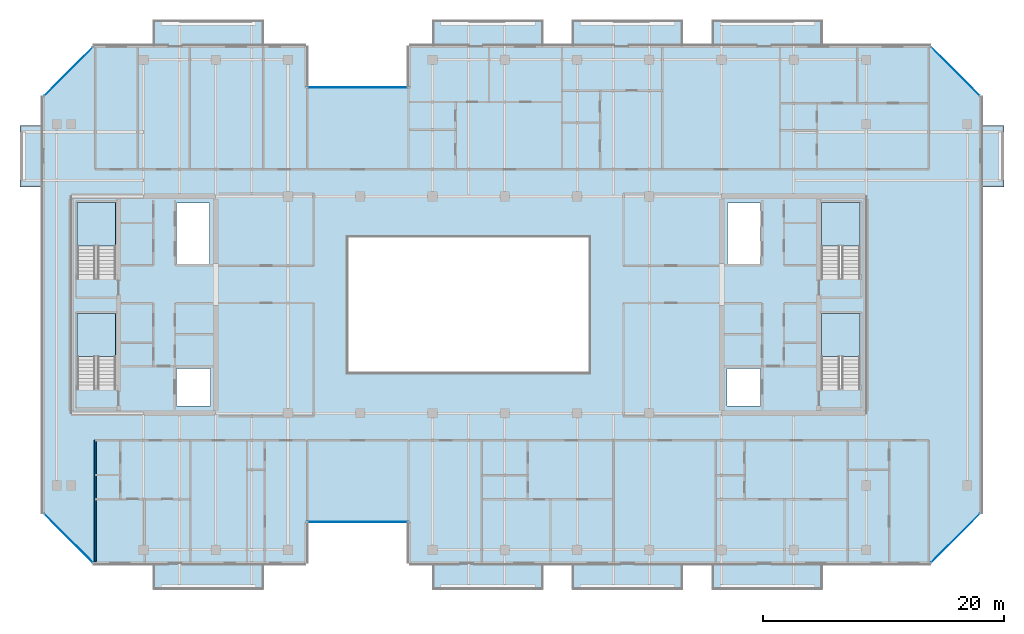
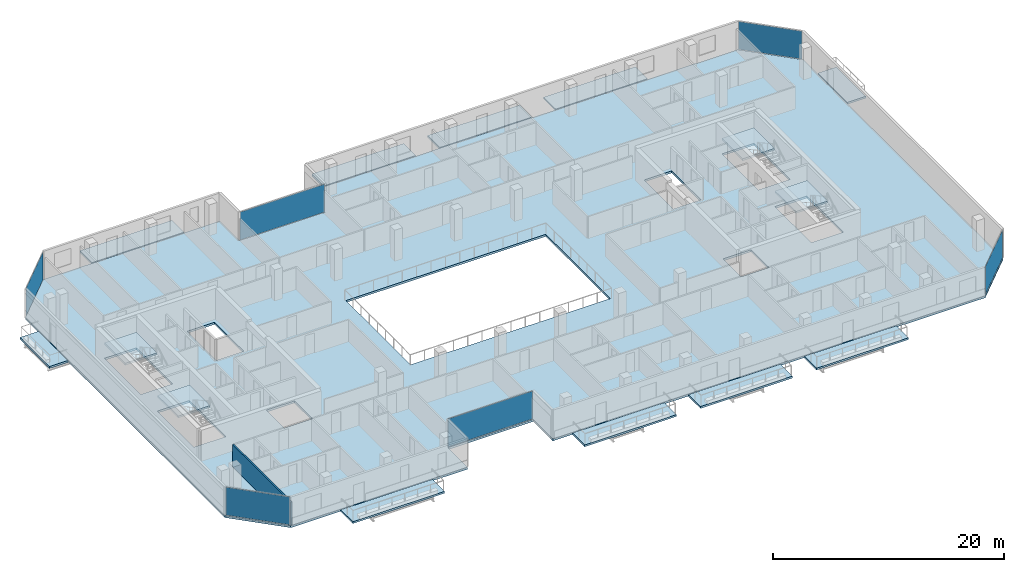
# One storey, part 17 of 29: 15 slabs, 6 plates, 1 wall, 10 elements without a shape of their own.
"""IFC4 building model written with IfcOpenShell, lengths in metres."""

from ifc_helpers import new_model, si_unit, direction, frame, frame_2d, origin, origin_2d, place, context, subcontext, project, spatial, polyline, rectangle, outline, extrude, material, layer, layer_set, type_object, element, aggregate, save


model = new_model("IFC4")

# Units and contexts
model_context = context("Model", 3, precision=1e-05, world=origin(), true_north=direction((0.0, 1.0)))
body_context = subcontext(model_context, "Body", "Model", "MODEL_VIEW")
ifc_project = project(units=[si_unit("LENGTHUNIT", "METRE"), si_unit("AREAUNIT", "SQUARE_METRE"), si_unit("VOLUMEUNIT", "CUBIC_METRE"), si_unit("PLANEANGLEUNIT", "RADIAN"), si_unit("MASSUNIT", "GRAM", prefix="KILO")], contexts=[model_context])

# Site, building, storey
site_placement = place(None, origin())
site = spatial("IfcSite", under=ifc_project, at=site_placement, CompositionType="ELEMENT")
building_placement = place(site_placement, origin())
building = spatial("IfcBuilding", under=site, at=building_placement, Name="Tanjung Sevakor Pilgrim Tower", CompositionType="ELEMENT")
storey_placement = place(building_placement, frame((0.0, 0.0, 188.429931640625)))
storey = spatial("IfcBuildingStorey", under=building, at=storey_placement, Name="L52", CompositionType="ELEMENT", Elevation=188.429931640625)

# Slabs
ifc_material_1 = material(Name="Concrete C40/50", Category="concrete")
ifc_layer_1 = layer(ifc_material_1, 0.199951171875)
ifc_layer_set_1 = layer_set([ifc_layer_1], Name="SL-BAL-200")
slab_type_1 = type_object("IfcSlabType", Name="SL-BAL-200", PredefinedType="FLOOR", material=ifc_layer_set_1)
slab_1_placement = place(storey_placement, frame((0.0, 0.0, -0.199951171875)))
element("IfcSlab", 1, at=slab_1_placement, inside=storey, type_object=slab_type_1, Name="L52 Planted Loggia Balcony MAIN-S1", PredefinedType="FLOOR", context=body_context, shape_type="SweptSolid", body=[
    extrude(outline(polyline([(30.800048828125, 9.949951171875), (40.0, 9.949951171875), (40.0, 12.050048828125), (30.800048828125, 12.050048828125), (30.800048828125, 9.949951171875)])), origin(), (0.0, 0.0, 1.0), 0.199951171875),
])
slab_2_placement = place(storey_placement, frame((0.0, 0.0, -0.199951171875)))
element("IfcSlab", 2, at=slab_2_placement, inside=storey, type_object=slab_type_1, Name="L52 Planted Loggia Balcony MAIN-N1", PredefinedType="FLOOR", context=body_context, shape_type="SweptSolid", body=[
    extrude(outline(polyline([(30.800048828125, 55.14990234375), (40.0, 55.14990234375), (40.0, 57.25), (30.800048828125, 57.25), (30.800048828125, 55.14990234375)])), origin(), (0.0, 0.0, 1.0), 0.199951171875),
])
slab_3_placement = place(storey_placement, frame((0.0, 0.0, -0.199951171875)))
element("IfcSlab", 3, at=slab_3_placement, inside=storey, type_object=slab_type_1, Name="L52 Planted Loggia Balcony MAIN-S2", PredefinedType="FLOOR", context=body_context, shape_type="SweptSolid", body=[
    extrude(outline(polyline([(54.0, 9.949951171875), (63.199951171875, 9.949951171875), (63.199951171875, 12.050048828125), (54.0, 12.050048828125), (54.0, 9.949951171875)])), origin(), (0.0, 0.0, 1.0), 0.199951171875),
])
slab_4_placement = place(storey_placement, frame((0.0, 0.0, -0.199951171875)))
element("IfcSlab", 4, at=slab_4_placement, inside=storey, type_object=slab_type_1, Name="L52 Planted Loggia Balcony MAIN-N2", PredefinedType="FLOOR", context=body_context, shape_type="SweptSolid", body=[
    extrude(outline(polyline([(54.0, 55.14990234375), (63.199951171875, 55.14990234375), (63.199951171875, 57.25), (54.0, 57.25), (54.0, 55.14990234375)])), origin(), (0.0, 0.0, 1.0), 0.199951171875),
])
slab_5_placement = place(storey_placement, frame((0.0, 0.0, -0.199951171875)))
element("IfcSlab", 5, at=slab_5_placement, inside=storey, type_object=slab_type_1, Name="L52 Planted Loggia Balcony MAIN-S3", PredefinedType="FLOOR", context=body_context, shape_type="SweptSolid", body=[
    extrude(outline(polyline([(65.60009765625, 9.949951171875), (74.800048828125, 9.949951171875), (74.800048828125, 12.050048828125), (65.60009765625, 12.050048828125), (65.60009765625, 9.949951171875)])), origin(), (0.0, 0.0, 1.0), 0.199951171875),
])
slab_6_placement = place(storey_placement, frame((0.0, 0.0, -0.199951171875)))
element("IfcSlab", 6, at=slab_6_placement, inside=storey, type_object=slab_type_1, Name="L52 Planted Loggia Balcony MAIN-N3", PredefinedType="FLOOR", context=body_context, shape_type="SweptSolid", body=[
    extrude(outline(polyline([(65.60009765625, 55.14990234375), (74.800048828125, 55.14990234375), (74.800048828125, 57.25), (65.60009765625, 57.25), (65.60009765625, 55.14990234375)])), origin(), (0.0, 0.0, 1.0), 0.199951171875),
])
slab_7_placement = place(storey_placement, frame((0.0, 0.0, -0.199951171875)))
element("IfcSlab", 7, at=slab_7_placement, inside=storey, type_object=slab_type_1, Name="L52 Planted Loggia Balcony MAIN-S4", PredefinedType="FLOOR", context=body_context, shape_type="SweptSolid", body=[
    extrude(outline(polyline([(77.199951171875, 9.949951171875), (86.39990234375, 9.949951171875), (86.39990234375, 12.050048828125), (77.199951171875, 12.050048828125), (77.199951171875, 9.949951171875)])), origin(), (0.0, 0.0, 1.0), 0.199951171875),
])
slab_8_placement = place(storey_placement, frame((0.0, 0.0, -0.199951171875)))
element("IfcSlab", 8, at=slab_8_placement, inside=storey, type_object=slab_type_1, Name="L52 Planted Loggia Balcony MAIN-N4", PredefinedType="FLOOR", context=body_context, shape_type="SweptSolid", body=[
    extrude(outline(polyline([(77.199951171875, 55.14990234375), (86.39990234375, 55.14990234375), (86.39990234375, 57.25), (77.199951171875, 57.25), (77.199951171875, 55.14990234375)])), origin(), (0.0, 0.0, 1.0), 0.199951171875),
])
slab_9_placement = place(storey_placement, frame((0.0, 0.0, -0.199951171875)))
element("IfcSlab", 9, at=slab_9_placement, inside=storey, type_object=slab_type_1, Name="L52 Planted Loggia Balcony MAIN-W1", PredefinedType="FLOOR", context=body_context, shape_type="SweptSolid", body=[
    extrude(outline(polyline([(19.75, 43.39990234375), (21.60009765625, 43.39990234375), (21.60009765625, 48.5), (19.75, 48.5), (19.75, 43.39990234375)])), origin(), (0.0, 0.0, 1.0), 0.199951171875),
])
slab_10_placement = place(storey_placement, frame((0.0, 0.0, -0.199951171875)))
element("IfcSlab", 10, at=slab_10_placement, inside=storey, type_object=slab_type_1, Name="L52 Planted Loggia Balcony MAIN-E1", PredefinedType="FLOOR", context=body_context, shape_type="SweptSolid", body=[
    extrude(outline(polyline([(99.60009765625, 43.39990234375), (101.449951171875, 43.39990234375), (101.449951171875, 48.5), (99.60009765625, 48.5), (99.60009765625, 43.39990234375)])), origin(), (0.0, 0.0, 1.0), 0.199951171875),
])

# Stair, slab
ifc_material_2 = material(Name="Concrete C40/50", Category="concrete")
stair_type = type_object("IfcStairType", Name="STAIR-ST-CR150", PredefinedType="HALF_TURN_STAIR", material=ifc_material_2)
stair_1_placement = place(storey_placement, origin())
stair_1 = element("IfcStair", 11, at=stair_1_placement, inside=storey, type_object=stair_type, Name="L52 West Core Exit Stair 1", PredefinedType="HALF_TURN_STAIR")
ifc_material_3 = material(Name="Concrete C40/50", Category="concrete")
ifc_layer_2 = layer(ifc_material_3, 0.199951171875)
ifc_layer_set_2 = layer_set([ifc_layer_2], Name="SL-LAND-200")
slab_type_2 = type_object("IfcSlabType", Name="SL-LAND-200", PredefinedType="LANDING", material=ifc_layer_set_2)
slab_11_placement = place(storey_placement, frame((0.0, 0.0, 1.449951171875)))
slab_11 = element("IfcSlab", 12, at=slab_11_placement, type_object=slab_type_2, Name="TS-W1 landing 1", PredefinedType="LANDING", context=body_context, shape_type="SweptSolid", body=[
    extrude(outline(polyline([(27.699951171875, 29.300048828125), (27.699951171875, 32.89990234375), (24.5, 32.89990234375), (24.5, 29.300048828125), (27.699951171875, 29.300048828125)])), origin(), (0.0, 0.0, 1.0), 0.2001953125),
])
aggregate(stair_1, [slab_11])

stair_2_placement = place(storey_placement, origin())
stair_2 = element("IfcStair", 13, at=stair_2_placement, inside=storey, type_object=stair_type, Name="L52 West Core Exit Stair 2", PredefinedType="HALF_TURN_STAIR")
slab_12_placement = place(storey_placement, frame((0.0, 0.0, 1.449951171875)))
slab_12 = element("IfcSlab", 14, at=slab_12_placement, type_object=slab_type_2, Name="TS-W2 landing 1", PredefinedType="LANDING", context=body_context, shape_type="SweptSolid", body=[
    extrude(outline(polyline([(27.699951171875, 38.5), (27.699951171875, 42.10009765625), (24.5, 42.10009765625), (24.5, 38.5), (27.699951171875, 38.5)])), origin(), (0.0, 0.0, 1.0), 0.2001953125),
])
aggregate(stair_2, [slab_12])

stair_3_placement = place(storey_placement, origin())
stair_3 = element("IfcStair", 15, at=stair_3_placement, inside=storey, type_object=stair_type, Name="L52 East Core Exit Stair 1", PredefinedType="HALF_TURN_STAIR")
slab_13_placement = place(storey_placement, frame((0.0, 0.0, 1.449951171875)))
slab_13 = element("IfcSlab", 16, at=slab_13_placement, type_object=slab_type_2, Name="TS-E1 landing 1", PredefinedType="LANDING", context=body_context, shape_type="SweptSolid", body=[
    extrude(outline(polyline([(89.5, 29.300048828125), (89.5, 32.89990234375), (86.300048828125, 32.89990234375), (86.300048828125, 29.300048828125), (89.5, 29.300048828125)])), origin(), (0.0, 0.0, 1.0), 0.2001953125),
])
aggregate(stair_3, [slab_13])

stair_4_placement = place(storey_placement, origin())
stair_4 = element("IfcStair", 17, at=stair_4_placement, inside=storey, type_object=stair_type, Name="L52 East Core Exit Stair 2", PredefinedType="HALF_TURN_STAIR")
slab_14_placement = place(storey_placement, frame((0.0, 0.0, 1.449951171875)))
slab_14 = element("IfcSlab", 18, at=slab_14_placement, type_object=slab_type_2, Name="TS-E2 landing 1", PredefinedType="LANDING", context=body_context, shape_type="SweptSolid", body=[
    extrude(outline(polyline([(89.5, 38.5), (89.5, 42.10009765625), (86.300048828125, 42.10009765625), (86.300048828125, 38.5), (89.5, 38.5)])), origin(), (0.0, 0.0, 1.0), 0.2001953125),
])
aggregate(stair_4, [slab_14])

# Slab
ifc_material_4 = material(Name="Concrete C40/50", Category="concrete")
ifc_layer_3 = layer(ifc_material_4, 0.219970703125)
ifc_layer_set_3 = layer_set([ifc_layer_3], Name="SL-TWR-220")
slab_type_3 = type_object("IfcSlabType", Name="SL-TWR-220", PredefinedType="FLOOR", material=ifc_layer_set_3)
slab_15_placement = place(storey_placement, frame((0.0, 0.0, -0.219970703125)))
element("IfcSlab", 19, at=slab_15_placement, inside=storey, type_object=slab_type_3, Name="L52 Floor Slab MAIN", PredefinedType="FLOOR", context=body_context, shape_type="SweptSolid", body=[
    extrude(outline(polyline([(25.846923828125, 12.1298828125), (43.52001953125, 12.1298828125), (43.52001953125, 15.530029296875), (52.080078125, 15.530029296875), (52.080078125, 12.1298828125), (95.35302734375, 12.1298828125), (99.52001953125, 16.296875), (99.52001953125, 50.903076171875), (95.35302734375, 55.070068359375), (52.080078125, 55.070068359375), (52.080078125, 51.669921875), (43.52001953125, 51.669921875), (43.52001953125, 55.070068359375), (25.846923828125, 55.070068359375), (21.679931640625, 50.903076171875), (21.679931640625, 16.296875), (25.846923828125, 12.1298828125)]), holes=[polyline([(27.699951171875, 26.60009765625), (27.699951171875, 32.89990234375), (24.5, 32.89990234375), (24.5, 26.60009765625), (27.699951171875, 26.60009765625)]), polyline([(27.699951171875, 35.800048828125), (27.699951171875, 42.10009765625), (24.5, 42.10009765625), (24.5, 35.800048828125), (27.699951171875, 35.800048828125)]), polyline([(89.5, 26.60009765625), (89.5, 32.89990234375), (86.300048828125, 32.89990234375), (86.300048828125, 26.60009765625), (89.5, 26.60009765625)]), polyline([(89.5, 35.800048828125), (89.5, 42.10009765625), (86.300048828125, 42.10009765625), (86.300048828125, 35.800048828125), (89.5, 35.800048828125)]), polyline([(32.75, 25.199951171875), (35.550048828125, 25.199951171875), (35.550048828125, 28.300048828125), (32.75, 28.300048828125), (32.75, 25.199951171875)]), polyline([(32.75, 37.0), (35.5, 37.0), (35.5, 42.050048828125), (32.75, 42.050048828125), (32.75, 37.0)]), polyline([(78.449951171875, 25.199951171875), (81.25, 25.199951171875), (81.25, 28.300048828125), (78.449951171875, 28.300048828125), (78.449951171875, 25.199951171875)]), polyline([(78.5, 37.0), (81.25, 37.0), (81.25, 42.050048828125), (78.5, 42.050048828125), (78.5, 37.0)]), polyline([(47.0, 28.0), (67.0, 28.0), (67.0, 39.199951171875), (47.0, 39.199951171875), (47.0, 28.0)])]), origin(), (0.0, 0.0, 1.0), 0.219970703125),
])

# Curtain wall, plate
ifc_material_5 = material(Name="Aluminium 6063-T6 and Low-E Glass", Category="aluminium")
ifc_layer_4 = layer(ifc_material_5, 0.179931640625)
ifc_layer_set_4 = layer_set([ifc_layer_4], Name="CW-SYS-CLEFT")
curtain_wall_type_1 = type_object("IfcCurtainWallType", Name="CW-SYS-CLEFT", PredefinedType="NOTDEFINED", material=ifc_layer_set_4)
curtain_wall_1_placement = place(storey_placement, origin())
curtain_wall_1 = element("IfcCurtainWall", 20, at=curtain_wall_1_placement, inside=storey, type_object=curtain_wall_type_1, Name="L52 Curtain Wall CW-CLF-L52-2", PredefinedType="NOTDEFINED")
ifc_material_6 = material(Name="Laminated Low-E Double Glazing", Category="glass")
ifc_layer_5 = layer(ifc_material_6, 0.028076171875)
ifc_layer_set_5 = layer_set([ifc_layer_5], Name="TYPE-CWP-GLZ1")
plate_type = type_object("IfcPlateType", Name="TYPE-CWP-GLZ1", PredefinedType="CURTAIN_PANEL", material=ifc_layer_set_5)
plate_1_placement = place(storey_placement, frame((47.800048828125, 15.56005859375, 0.06494140625), z_axis=(0.0, 0.0, 1.0), x_axis=(1.0, 0.0, 0.0)))
plate_1 = element("IfcPlate", 21, at=plate_1_placement, type_object=plate_type, Name="CW-CLF panel 1.1", PredefinedType="CURTAIN_PANEL", context=body_context, shape_type="SweptSolid", body=[
    extrude(rectangle(XDim=8.469970703125, YDim=0.028076171875, at=origin_2d()), origin(), (0.0, 0.0, 1.0), 2.949951171875),
])
aggregate(curtain_wall_1, [plate_1])

ifc_material_7 = material(Name="Aluminium 6063-T6 and Low-E Glass", Category="aluminium")
ifc_layer_6 = layer(ifc_material_7, 0.179931640625)
ifc_layer_set_6 = layer_set([ifc_layer_6], Name="CW-SYS-CHAM")
curtain_wall_type_2 = type_object("IfcCurtainWallType", Name="CW-SYS-CHAM", PredefinedType="NOTDEFINED", material=ifc_layer_set_6)
curtain_wall_2_placement = place(storey_placement, origin())
curtain_wall_2 = element("IfcCurtainWall", 22, at=curtain_wall_2_placement, inside=storey, type_object=curtain_wall_type_2, Name="L52 Curtain Wall CW-CHM-L52-MAIN-5", PredefinedType="NOTDEFINED")
plate_2_placement = place(storey_placement, frame((97.422119140625, 14.227783203125, 0.06494140625), z_axis=(0.0, 0.0, 1.0), x_axis=(0.707106781187, 0.707106781187, 0.0)))
plate_2 = element("IfcPlate", 23, at=plate_2_placement, type_object=plate_type, Name="CW-CHM panel 1.1", PredefinedType="CURTAIN_PANEL", context=body_context, shape_type="SweptSolid", body=[
    extrude(rectangle(XDim=5.718505859375, YDim=0.028076171875, at=origin_2d()), origin(), (0.0, 0.0, 1.0), 2.949951171875),
])
aggregate(curtain_wall_2, [plate_2])

curtain_wall_3_placement = place(storey_placement, origin())
curtain_wall_3 = element("IfcCurtainWall", 24, at=curtain_wall_3_placement, inside=storey, type_object=curtain_wall_type_2, Name="L52 Curtain Wall CW-CHM-L52-MAIN-7", PredefinedType="NOTDEFINED")
plate_3_placement = place(storey_placement, frame((97.422119140625, 52.97216796875, 0.06494140625), z_axis=(0.0, 0.0, 1.0), x_axis=(-0.707106781187, 0.707106781187, 0.0)))
plate_3 = element("IfcPlate", 25, at=plate_3_placement, type_object=plate_type, Name="CW-CHM panel 1.1", PredefinedType="CURTAIN_PANEL", context=body_context, shape_type="SweptSolid", body=[
    extrude(rectangle(XDim=5.718505859375, YDim=0.028076171875, at=origin_2d()), origin(), (0.0, 0.0, 1.0), 2.949951171875),
])
aggregate(curtain_wall_3, [plate_3])

curtain_wall_4_placement = place(storey_placement, origin())
curtain_wall_4 = element("IfcCurtainWall", 26, at=curtain_wall_4_placement, inside=storey, type_object=curtain_wall_type_1, Name="L52 Curtain Wall CW-CLF-L52-10", PredefinedType="NOTDEFINED")
plate_4_placement = place(storey_placement, frame((47.800048828125, 51.639892578125, 0.06494140625), z_axis=(0.0, 0.0, 1.0), x_axis=(-1.0, 0.0, 0.0)))
plate_4 = element("IfcPlate", 27, at=plate_4_placement, type_object=plate_type, Name="CW-CLF panel 1.1", PredefinedType="CURTAIN_PANEL", context=body_context, shape_type="SweptSolid", body=[
    extrude(rectangle(XDim=8.469970703125, YDim=0.028076171875, at=origin_2d()), origin(), (0.0, 0.0, 1.0), 2.949951171875),
])
aggregate(curtain_wall_4, [plate_4])

curtain_wall_5_placement = place(storey_placement, origin())
curtain_wall_5 = element("IfcCurtainWall", 28, at=curtain_wall_5_placement, inside=storey, type_object=curtain_wall_type_2, Name="L52 Curtain Wall CW-CHM-L52-MAIN-13", PredefinedType="NOTDEFINED")
plate_5_placement = place(storey_placement, frame((23.77783203125, 52.97216796875, 0.06494140625), z_axis=(0.0, 0.0, 1.0), x_axis=(-0.707106781187, -0.707106781187, 0.0)))
plate_5 = element("IfcPlate", 29, at=plate_5_placement, type_object=plate_type, Name="CW-CHM panel 1.1", PredefinedType="CURTAIN_PANEL", context=body_context, shape_type="SweptSolid", body=[
    extrude(rectangle(XDim=5.718505859375, YDim=0.028076171875, at=origin_2d()), origin(), (0.0, 0.0, 1.0), 2.949951171875),
])
aggregate(curtain_wall_5, [plate_5])

curtain_wall_6_placement = place(storey_placement, origin())
curtain_wall_6 = element("IfcCurtainWall", 30, at=curtain_wall_6_placement, inside=storey, type_object=curtain_wall_type_2, Name="L52 Curtain Wall CW-CHM-L52-MAIN-15", PredefinedType="NOTDEFINED")
plate_6_placement = place(storey_placement, frame((23.77783203125, 14.227783203125, 0.06494140625), z_axis=(0.0, 0.0, 1.0), x_axis=(0.707106781187, -0.707106781187, 0.0)))
plate_6 = element("IfcPlate", 31, at=plate_6_placement, type_object=plate_type, Name="CW-CHM panel 1.1", PredefinedType="CURTAIN_PANEL", context=body_context, shape_type="SweptSolid", body=[
    extrude(rectangle(XDim=5.718505859375, YDim=0.028076171875, at=origin_2d()), origin(), (0.0, 0.0, 1.0), 2.949951171875),
])
aggregate(curtain_wall_6, [plate_6])

# Wall
ifc_material_8 = material(Name="Concrete C40/50", Category="concrete")
ifc_layer_7 = layer(ifc_material_8, 0.14990234375)
ifc_layer_set_7 = layer_set([ifc_layer_7], Name="WT-COMP-150")
wall_type = type_object("IfcWallType", Name="WT-COMP-150", PredefinedType="SOLIDWALL", material=ifc_layer_set_7)
wall_placement = place(storey_placement, frame((26.0, 12.27001953125, 0.0), z_axis=(0.0, 0.0, 1.0), x_axis=(0.0, 1.0, 0.0)))
element("IfcWall", 32, at=wall_placement, inside=storey, type_object=wall_type, Name="L52 Partition IW-L52-045", PredefinedType="SOLIDWALL", context=body_context, shape_type="SweptSolid", body=[
    extrude(rectangle(XDim=10.080078125, YDim=0.14990234375, at=frame_2d((5.0400390625, 0.0))), origin(), (0.0, 0.0, 1.0), 2.35009765625),
])

save(model, "model.ifc")
